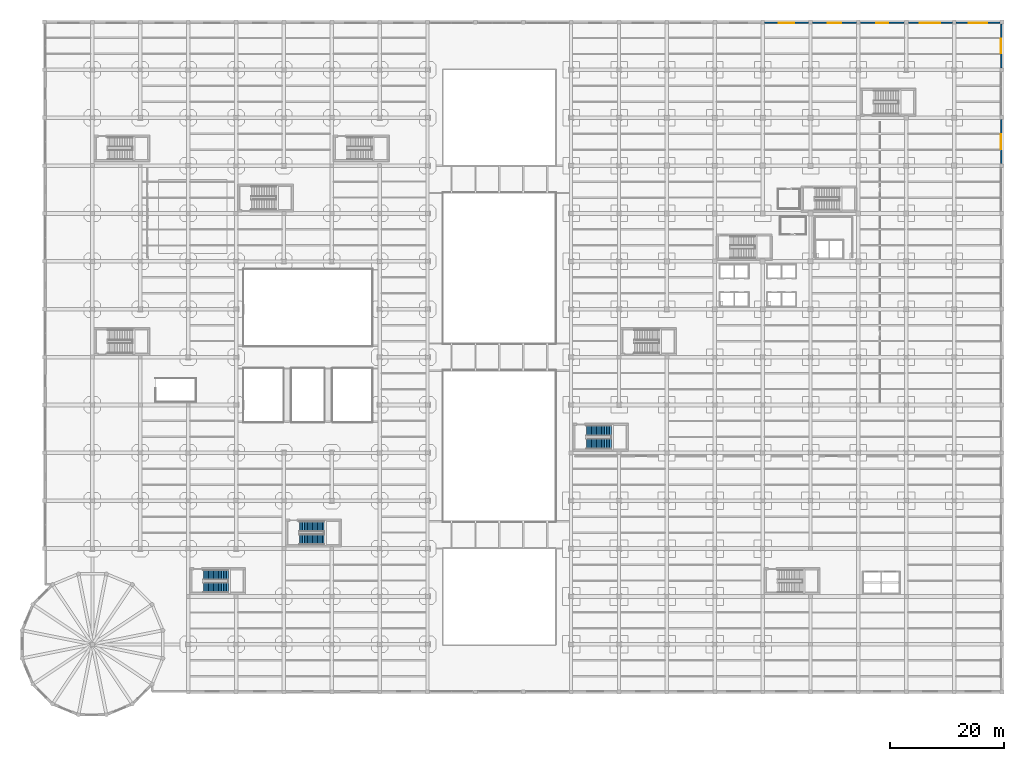
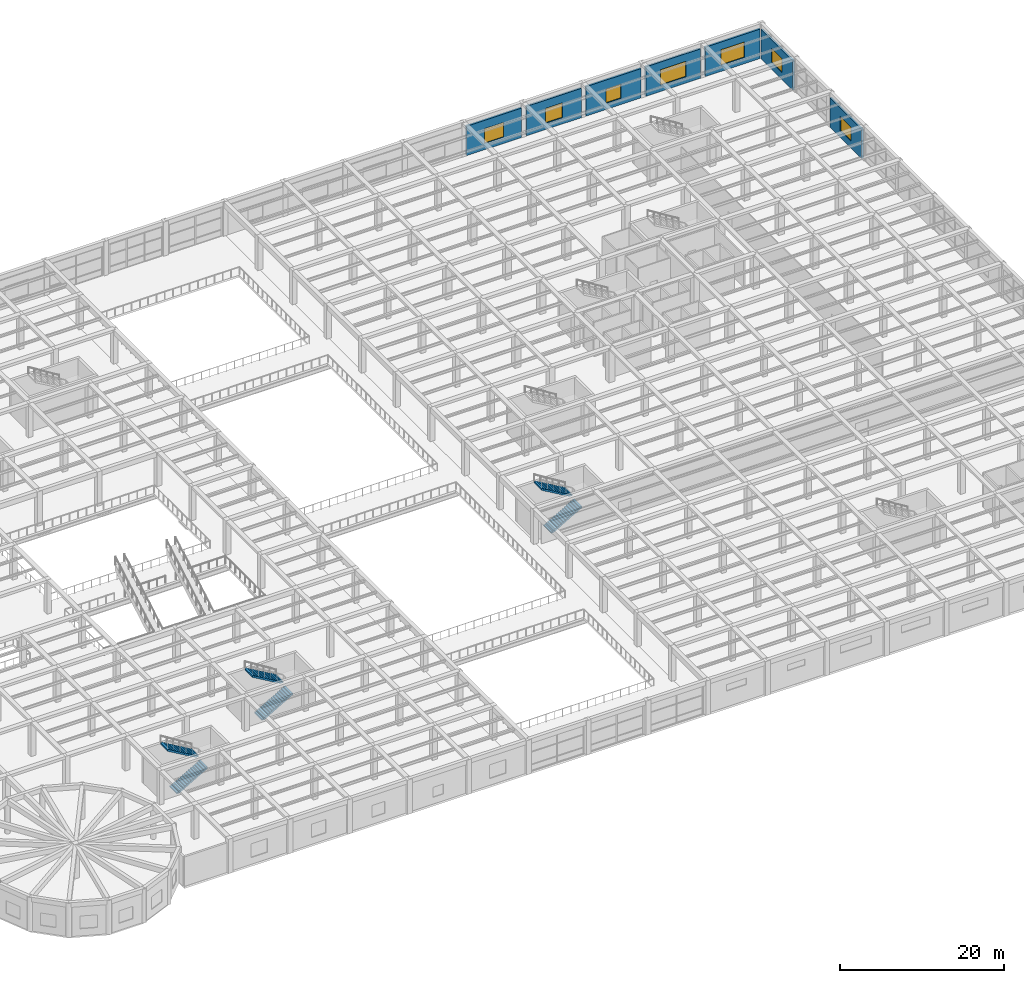
# One storey, part 53 of 65: 7 walls, 7 windows, 6 stair flights, 7 openings, 3 elements without a shape of their own.
"""IFC4 building model written with IfcOpenShell, lengths in metres."""

from ifc_helpers import new_model, si_unit, direction, frame, frame_2d, origin, place, context, subcontext, project, spatial, polyline, rectangle, outline, extrude, material, layer, layer_set, type_object, element, fill, aggregate, save


model = new_model("IFC4")

# Units and contexts
model_context = context("Model", 3, precision=1e-05, world=origin(), true_north=direction((0.0, 1.0)))
body_context = subcontext(model_context, "Body", "Model", "MODEL_VIEW")
ifc_project = project(units=[si_unit("LENGTHUNIT", "METRE"), si_unit("AREAUNIT", "SQUARE_METRE"), si_unit("VOLUMEUNIT", "CUBIC_METRE"), si_unit("PLANEANGLEUNIT", "RADIAN"), si_unit("MASSUNIT", "GRAM", prefix="KILO")], contexts=[model_context])

# Site, building, storey
site_placement = place(None, origin())
site = spatial("IfcSite", under=ifc_project, at=site_placement, CompositionType="ELEMENT")
building_placement = place(site_placement, origin())
building = spatial("IfcBuilding", under=site, at=building_placement, Name="Almacenes y Pasaje Nevantli", CompositionType="ELEMENT")
storey_placement = place(building_placement, frame((0.0, 0.0, 16.800048828125)))
storey = spatial("IfcBuildingStorey", under=building, at=storey_placement, Name="L04", CompositionType="ELEMENT", Elevation=16.800048828125)

# Wall, opening, window
ifc_material_1 = material(Name="Architectural Precast Concrete C35/45 Spandrel Wall", Category="concrete")
ifc_layer_1 = layer(ifc_material_1, 0.280029296875)
ifc_layer_set_1 = layer_set([ifc_layer_1], Name="Architectural Precast Concrete C35/45 Spandrel Wall")
wall_type = type_object("IfcWallType", Name="WL-EXT-CANTERA-280", PredefinedType="SOLIDWALL", material=ifc_layer_set_1)
wall_1_placement = place(storey_placement, frame((126.327880859375, 117.449951171875, 0.0), z_axis=(0.0, 0.0, 1.0), x_axis=(1.0, 0.0, 0.0)))
wall_1 = element("IfcWall", 1, at=wall_1_placement, inside=storey, type_object=wall_type, Name="L04 Boulevard Frieze Oculus Wall Bay 16", PredefinedType="SOLIDWALL", context=body_context, shape_type="SweptSolid", body=[
    extrude(rectangle(XDim=7.72021484375, YDim=0.280029296875, at=frame_2d((3.860107421875, 0.0))), origin(), (0.0, 0.0, 1.0), 4.3798828125),
])
opening_1_placement = place(wall_1_placement, frame((2.52197265625, 0.0, 0.949951171875)))
opening_1 = element("IfcOpeningElement", 2, at=opening_1_placement, cuts=wall_1, Name="Opening WT-04-140", PredefinedType="OPENING", context=body_context, shape_type="SweptSolid", body=[
    extrude(rectangle(XDim=2.699951171875, YDim=2.199951171875, at=frame_2d((1.35009765625, 1.10009765625))), frame((0.0, 0.14990234375, 0.0), z_axis=(0.0, -1.0, 0.0), x_axis=(1.0, 0.0, 0.0)), (0.0, 0.0, 1.0), 0.300048828125),
])
ifc_material_2 = material(Name="Thermally Broken Aluminium and Low-E Double Glazing", Category="aluminium")
window_type_1 = type_object("IfcWindowType", Name="WN-OCU-2700", PartitioningType="SINGLE_PANEL", PredefinedType="WINDOW", material=ifc_material_2)
window_1_placement = place(opening_1_placement, origin())
window_1 = element("IfcWindow", 3, at=window_1_placement, inside=storey, type_object=window_type_1, Name="L04 Exterior Window WT-04 #140", OverallHeight=2.199951171875, OverallWidth=2.699951171875, PartitioningType="SINGLE_PANEL", PredefinedType="WINDOW", context=body_context, shape_type="SweptSolid", body=[
    extrude(rectangle(XDim=2.699951171875, YDim=2.199951171875, at=frame_2d((1.35009765625, 1.10009765625))), frame((0.0, 0.030029296875, 0.0), z_axis=(0.0, -1.0, 0.0), x_axis=(1.0, 0.0, 0.0)), (0.0, 0.0, 1.0), 0.06005859375),
])
fill(opening_1, window_1)

wall_2_placement = place(storey_placement, frame((134.75390625, 117.449951171875, 0.0), z_axis=(0.0, 0.0, 1.0), x_axis=(1.0, 0.0, 0.0)))
wall_2 = element("IfcWall", 4, at=wall_2_placement, inside=storey, type_object=wall_type, Name="L04 Boulevard Frieze Oculus Wall Bay 17", PredefinedType="SOLIDWALL", context=body_context, shape_type="SweptSolid", body=[
    extrude(rectangle(XDim=7.718017578125, YDim=0.280029296875, at=frame_2d((3.85888671875, 0.0))), origin(), (0.0, 0.0, 1.0), 4.3798828125),
])
opening_2_placement = place(wall_2_placement, frame((2.64599609375, 0.0, 0.949951171875)))
opening_2 = element("IfcOpeningElement", 5, at=opening_2_placement, cuts=wall_2, Name="Opening WT-05-141", PredefinedType="OPENING", context=body_context, shape_type="SweptSolid", body=[
    extrude(rectangle(XDim=2.39990234375, YDim=2.199951171875, at=frame_2d((1.199951171875, 1.10009765625))), frame((0.0, 0.14990234375, 0.0), z_axis=(0.0, -1.0, 0.0), x_axis=(1.0, 0.0, 0.0)), (0.0, 0.0, 1.0), 0.300048828125),
])
ifc_material_3 = material(Name="Thermally Broken Aluminium and Low-E Double Glazing", Category="aluminium")
window_type_2 = type_object("IfcWindowType", Name="WN-OCU-2400", PartitioningType="SINGLE_PANEL", PredefinedType="WINDOW", material=ifc_material_3)
window_2_placement = place(opening_2_placement, origin())
window_2 = element("IfcWindow", 6, at=window_2_placement, inside=storey, type_object=window_type_2, Name="L04 Exterior Window WT-05 #141", OverallHeight=2.199951171875, OverallWidth=2.39990234375, PartitioningType="SINGLE_PANEL", PredefinedType="WINDOW", context=body_context, shape_type="SweptSolid", body=[
    extrude(rectangle(XDim=2.39990234375, YDim=2.199951171875, at=frame_2d((1.199951171875, 1.10009765625))), frame((0.0, 0.030029296875, 0.0), z_axis=(0.0, -1.0, 0.0), x_axis=(1.0, 0.0, 0.0)), (0.0, 0.0, 1.0), 0.06005859375),
])
fill(opening_2, window_2)

wall_3_placement = place(storey_placement, frame((143.1279296875, 117.449951171875, 0.0), z_axis=(0.0, 0.0, 1.0), x_axis=(1.0, 0.0, 0.0)))
wall_3 = element("IfcWall", 7, at=wall_3_placement, inside=storey, type_object=wall_type, Name="L04 Boulevard Frieze Oculus Wall Bay 18", PredefinedType="SOLIDWALL", context=body_context, shape_type="SweptSolid", body=[
    extrude(rectangle(XDim=7.718017578125, YDim=0.280029296875, at=frame_2d((3.85888671875, 0.0))), origin(), (0.0, 0.0, 1.0), 4.3798828125),
])
opening_3_placement = place(wall_3_placement, frame((2.822021484375, 0.0, 0.949951171875)))
opening_3 = element("IfcOpeningElement", 8, at=opening_3_placement, cuts=wall_3, Name="Opening WT-06-142", PredefinedType="OPENING", context=body_context, shape_type="SweptSolid", body=[
    extrude(rectangle(XDim=2.10009765625, YDim=2.10009765625, at=frame_2d((1.050048828125, 1.050048828125))), frame((0.0, 0.14990234375, 0.0), z_axis=(0.0, -1.0, 0.0), x_axis=(1.0, 0.0, 0.0)), (0.0, 0.0, 1.0), 0.300048828125),
])
ifc_material_4 = material(Name="Thermally Broken Aluminium and Low-E Double Glazing", Category="aluminium")
window_type_3 = type_object("IfcWindowType", Name="WN-OCU-2100", PartitioningType="SINGLE_PANEL", PredefinedType="WINDOW", material=ifc_material_4)
window_3_placement = place(opening_3_placement, origin())
window_3 = element("IfcWindow", 9, at=window_3_placement, inside=storey, type_object=window_type_3, Name="L04 Exterior Window WT-06 #142", OverallHeight=2.10009765625, OverallWidth=2.10009765625, PartitioningType="SINGLE_PANEL", PredefinedType="WINDOW", context=body_context, shape_type="SweptSolid", body=[
    extrude(rectangle(XDim=2.10009765625, YDim=2.10009765625, at=frame_2d((1.050048828125, 1.050048828125))), frame((0.0, 0.030029296875, 0.0), z_axis=(0.0, -1.0, 0.0), x_axis=(1.0, 0.0, 0.0)), (0.0, 0.0, 1.0), 0.06005859375),
])
fill(opening_3, window_3)

wall_4_placement = place(storey_placement, frame((151.552001953125, 117.449951171875, 0.0), z_axis=(0.0, 0.0, 1.0), x_axis=(1.0, 0.0, 0.0)))
wall_4 = element("IfcWall", 10, at=wall_4_placement, inside=storey, type_object=wall_type, Name="L04 Boulevard Frieze Oculus Wall Bay 19", PredefinedType="SOLIDWALL", context=body_context, shape_type="SweptSolid", body=[
    extrude(rectangle(XDim=7.719970703125, YDim=0.280029296875, at=frame_2d((3.85986328125, 0.0))), origin(), (0.0, 0.0, 1.0), 4.3798828125),
])
opening_4_placement = place(wall_4_placement, frame((2.048095703125, 0.0, 0.949951171875)))
opening_4 = element("IfcOpeningElement", 11, at=opening_4_placement, cuts=wall_4, Name="Opening WT-01-143", PredefinedType="OPENING", context=body_context, shape_type="SweptSolid", body=[
    extrude(rectangle(XDim=3.60009765625, YDim=2.300048828125, at=frame_2d((1.800048828125, 1.14990234375))), frame((0.0, 0.14990234375, 0.0), z_axis=(0.0, -1.0, 0.0), x_axis=(1.0, 0.0, 0.0)), (0.0, 0.0, 1.0), 0.300048828125),
])
ifc_material_5 = material(Name="Thermally Broken Aluminium and Low-E Double Glazing", Category="aluminium")
window_type_4 = type_object("IfcWindowType", Name="WN-OCU-3600", PartitioningType="SINGLE_PANEL", PredefinedType="WINDOW", material=ifc_material_5)
window_4_placement = place(opening_4_placement, origin())
window_4 = element("IfcWindow", 12, at=window_4_placement, inside=storey, type_object=window_type_4, Name="L04 Exterior Window WT-01 #143", OverallHeight=2.300048828125, OverallWidth=3.60009765625, PartitioningType="SINGLE_PANEL", PredefinedType="WINDOW", context=body_context, shape_type="SweptSolid", body=[
    extrude(rectangle(XDim=3.60009765625, YDim=2.300048828125, at=frame_2d((1.800048828125, 1.14990234375))), frame((0.0, 0.030029296875, 0.0), z_axis=(0.0, -1.0, 0.0), x_axis=(1.0, 0.0, 0.0)), (0.0, 0.0, 1.0), 0.06005859375),
])
fill(opening_4, window_4)

wall_5_placement = place(storey_placement, frame((159.927978515625, 117.449951171875, 0.0), z_axis=(0.0, 0.0, 1.0), x_axis=(1.0, 0.0, 0.0)))
wall_5 = element("IfcWall", 13, at=wall_5_placement, inside=storey, type_object=wall_type, Name="L04 Boulevard Frieze Oculus Wall Bay 20", PredefinedType="SOLIDWALL", context=body_context, shape_type="SweptSolid", body=[
    extrude(rectangle(XDim=7.718017578125, YDim=0.280029296875, at=frame_2d((3.85888671875, 0.0))), origin(), (0.0, 0.0, 1.0), 4.3798828125),
])
opening_5_placement = place(wall_5_placement, frame((2.221923828125, 0.0, 0.949951171875)))
opening_5 = element("IfcOpeningElement", 14, at=opening_5_placement, cuts=wall_5, Name="Opening WT-02-144", PredefinedType="OPENING", context=body_context, shape_type="SweptSolid", body=[
    extrude(rectangle(XDim=3.300048828125, YDim=2.300048828125, at=frame_2d((1.64990234375, 1.14990234375))), frame((0.0, 0.14990234375, 0.0), z_axis=(0.0, -1.0, 0.0), x_axis=(1.0, 0.0, 0.0)), (0.0, 0.0, 1.0), 0.300048828125),
])
ifc_material_6 = material(Name="Thermally Broken Aluminium and Low-E Double Glazing", Category="aluminium")
window_type_5 = type_object("IfcWindowType", Name="WN-OCU-3300", PartitioningType="SINGLE_PANEL", PredefinedType="WINDOW", material=ifc_material_6)
window_5_placement = place(opening_5_placement, origin())
window_5 = element("IfcWindow", 15, at=window_5_placement, inside=storey, type_object=window_type_5, Name="L04 Exterior Window WT-02 #144", OverallHeight=2.300048828125, OverallWidth=3.300048828125, PartitioningType="SINGLE_PANEL", PredefinedType="WINDOW", context=body_context, shape_type="SweptSolid", body=[
    extrude(rectangle(XDim=3.300048828125, YDim=2.300048828125, at=frame_2d((1.64990234375, 1.14990234375))), frame((0.0, 0.030029296875, 0.0), z_axis=(0.0, -1.0, 0.0), x_axis=(1.0, 0.0, 0.0)), (0.0, 0.0, 1.0), 0.06005859375),
])
fill(opening_5, window_5)

wall_6_placement = place(storey_placement, frame((167.85009765625, 92.72802734375, 0.0), z_axis=(0.0, 0.0, 1.0), x_axis=(0.0, 1.0, 0.0)))
wall_6 = element("IfcWall", 16, at=wall_6_placement, inside=storey, type_object=wall_type, Name="L04 East Facade Wall Bay 12", PredefinedType="SOLIDWALL", context=body_context, shape_type="SweptSolid", body=[
    extrude(rectangle(XDim=7.719970703125, YDim=0.280029296875, at=frame_2d((3.85986328125, 0.0))), origin(), (0.0, 0.0, 1.0), 4.3798828125),
])
opening_6_placement = place(wall_6_placement, frame((2.572021484375, 0.0, 1.0)))
opening_6 = element("IfcOpeningElement", 17, at=opening_6_placement, cuts=wall_6, Name="Opening WT-13-172", PredefinedType="OPENING", context=body_context, shape_type="SweptSolid", body=[
    extrude(rectangle(XDim=2.60009765625, YDim=2.10009765625, at=frame_2d((1.300048828125, 1.050048828125))), frame((0.0, 0.14990234375, 0.0), z_axis=(0.0, -1.0, 0.0), x_axis=(1.0, 0.0, 0.0)), (0.0, 0.0, 1.0), 0.300048828125),
])
ifc_material_7 = material(Name="Thermally Broken Aluminium and Low-E Double Glazing", Category="aluminium")
window_type_6 = type_object("IfcWindowType", Name="WN-POD-2600x2100", PartitioningType="SINGLE_PANEL", PredefinedType="WINDOW", material=ifc_material_7)
window_6_placement = place(opening_6_placement, origin())
window_6 = element("IfcWindow", 18, at=window_6_placement, inside=storey, type_object=window_type_6, Name="L04 Exterior Window WT-13 #172", OverallHeight=2.10009765625, OverallWidth=2.60009765625, PartitioningType="SINGLE_PANEL", PredefinedType="WINDOW", context=body_context, shape_type="SweptSolid", body=[
    extrude(rectangle(XDim=2.60009765625, YDim=2.10009765625, at=frame_2d((1.300048828125, 1.050048828125))), frame((0.0, 0.030029296875, 0.0), z_axis=(0.0, -1.0, 0.0), x_axis=(1.0, 0.0, 0.0)), (0.0, 0.0, 1.0), 0.06005859375),
])
fill(opening_6, window_6)

wall_7_placement = place(storey_placement, frame((167.85009765625, 109.528076171875, 0.0), z_axis=(0.0, 0.0, 1.0), x_axis=(0.0, 1.0, 0.0)))
wall_7 = element("IfcWall", 19, at=wall_7_placement, inside=storey, type_object=wall_type, Name="L04 East Facade Wall Bay 14", PredefinedType="SOLIDWALL", context=body_context, shape_type="SweptSolid", body=[
    extrude(rectangle(XDim=7.718017578125, YDim=0.280029296875, at=frame_2d((3.85888671875, 0.0))), origin(), (0.0, 0.0, 1.0), 4.3798828125),
])
opening_7_placement = place(wall_7_placement, frame((2.572021484375, 0.0, 1.0)))
opening_7 = element("IfcOpeningElement", 20, at=opening_7_placement, cuts=wall_7, Name="Opening WT-13-173", PredefinedType="OPENING", context=body_context, shape_type="SweptSolid", body=[
    extrude(rectangle(XDim=2.60009765625, YDim=2.10009765625, at=frame_2d((1.300048828125, 1.050048828125))), frame((0.0, 0.14990234375, 0.0), z_axis=(0.0, -1.0, 0.0), x_axis=(1.0, 0.0, 0.0)), (0.0, 0.0, 1.0), 0.300048828125),
])
window_7_placement = place(opening_7_placement, origin())
window_7 = element("IfcWindow", 21, at=window_7_placement, inside=storey, type_object=window_type_6, Name="L04 Exterior Window WT-13 #173", OverallHeight=2.10009765625, OverallWidth=2.60009765625, PartitioningType="SINGLE_PANEL", PredefinedType="WINDOW", context=body_context, shape_type="SweptSolid", body=[
    extrude(rectangle(XDim=2.60009765625, YDim=2.10009765625, at=frame_2d((1.300048828125, 1.050048828125))), frame((0.0, 0.030029296875, 0.0), z_axis=(0.0, -1.0, 0.0), x_axis=(1.0, 0.0, 0.0)), (0.0, 0.0, 1.0), 0.06005859375),
])
fill(opening_7, window_7)

# Stair, stair flights
ifc_material_8 = material(Name="Concrete C35/45", Category="concrete")
stair_type_1 = type_object("IfcStairType", Name="STR-CORE-1750", PredefinedType="HALF_TURN_STAIR", material=ifc_material_8)
stair_1_placement = place(storey_placement, origin())
stair_1 = element("IfcStair", 22, at=stair_1_placement, inside=storey, type_object=stair_type_1, Name="L04 Staircase ST-04", PredefinedType="HALF_TURN_STAIR")
ifc_material_9 = material(Name="Concrete C35/45", Category="concrete")
ifc_layer_2 = layer(ifc_material_9, 0.199951171875)
ifc_layer_set_2 = layer_set([ifc_layer_2], Name="Concrete C35/45")
stair_flight_type = type_object("IfcStairFlightType", Name="SFL-RC-200", PredefinedType="STRAIGHT", material=ifc_layer_set_2)
stair_flight_1_placement = place(storey_placement, frame((27.89990234375, 18.375, 0.0), z_axis=(0.0, 0.0, 1.0), x_axis=(1.0, 0.0, 0.0)))
stair_flight_1 = element("IfcStairFlight", 23, at=stair_flight_1_placement, type_object=stair_flight_type, Name="ST-04-L04 flight 1", NumberOfRisers=16, NumberOfTreads=15, PredefinedType="STRAIGHT", RiserHeight=0.16875, TreadLength=0.29, context=body_context, shape_type="SweptSolid", body=[
    extrude(outline(polyline([(0.0, 0.0), (0.0, 0.168701171875), (0.2900390625, 0.168701171875), (0.2900390625, 0.33740234375), (0.580078125, 0.33740234375), (0.580078125, 0.50634765625), (0.8701171875, 0.50634765625), (0.8701171875, 0.675048828125), (1.159912109375, 0.675048828125), (1.159912109375, 0.84375), (1.449951171875, 0.84375), (1.449951171875, 1.012451171875), (1.739990234375, 1.012451171875), (1.739990234375, 1.18115234375), (2.030029296875, 1.18115234375), (2.030029296875, 1.35009765625), (2.320068359375, 1.35009765625), (2.320068359375, 1.518798828125), (2.610107421875, 1.518798828125), (2.610107421875, 1.6875), (2.89990234375, 1.6875), (2.89990234375, 1.856201171875), (3.18994140625, 1.856201171875), (3.18994140625, 2.02490234375), (3.47998046875, 2.02490234375), (3.47998046875, 2.19384765625), (3.77001953125, 2.19384765625), (3.77001953125, 2.362548828125), (4.06005859375, 2.362548828125), (4.06005859375, 2.53125), (4.35009765625, 2.53125), (4.35009765625, 2.699951171875), (4.35009765625, 2.2998046875), (0.3974609375, 0.0), (0.0, 0.0)])), frame((0.0, 0.875, 0.0), z_axis=(0.0, -1.0, 0.0), x_axis=(1.0, 0.0, 0.0)), (0.0, 0.0, 1.0), 1.75),
])
stair_flight_2_placement = place(storey_placement, frame((32.25, 20.574951171875, 2.699951171875), z_axis=(0.0, 0.0, 1.0), x_axis=(-1.0, 0.0, 0.0)))
stair_flight_2 = element("IfcStairFlight", 24, at=stair_flight_2_placement, type_object=stair_flight_type, Name="ST-04-L04 flight 2", NumberOfRisers=16, NumberOfTreads=15, PredefinedType="STRAIGHT", RiserHeight=0.16875, TreadLength=0.29, context=body_context, shape_type="SweptSolid", body=[
    extrude(outline(polyline([(0.0, 0.0), (0.0, 0.168701171875), (0.2900390625, 0.168701171875), (0.2900390625, 0.33740234375), (0.580078125, 0.33740234375), (0.580078125, 0.50634765625), (0.8701171875, 0.50634765625), (0.8701171875, 0.675048828125), (1.159912109375, 0.675048828125), (1.159912109375, 0.84375), (1.449951171875, 0.84375), (1.449951171875, 1.012451171875), (1.739990234375, 1.012451171875), (1.739990234375, 1.18115234375), (2.030029296875, 1.18115234375), (2.030029296875, 1.35009765625), (2.320068359375, 1.35009765625), (2.320068359375, 1.518798828125), (2.610107421875, 1.518798828125), (2.610107421875, 1.6875), (2.89990234375, 1.6875), (2.89990234375, 1.856201171875), (3.18994140625, 1.856201171875), (3.18994140625, 2.02490234375), (3.47998046875, 2.02490234375), (3.47998046875, 2.19384765625), (3.77001953125, 2.19384765625), (3.77001953125, 2.362548828125), (4.06005859375, 2.362548828125), (4.06005859375, 2.53125), (4.35009765625, 2.53125), (4.35009765625, 2.699951171875), (4.35009765625, 2.2998046875), (0.3974609375, 0.0), (0.0, 0.0)])), frame((0.0, 0.875, 0.0), z_axis=(0.0, -1.0, 0.0), x_axis=(1.0, 0.0, 0.0)), (0.0, 0.0, 1.0), 1.75),
])
aggregate(stair_1, [stair_flight_1, stair_flight_2])

ifc_material_10 = material(Name="Concrete C35/45", Category="concrete")
stair_type_2 = type_object("IfcStairType", Name="STR-CORE-1850", PredefinedType="HALF_TURN_STAIR", material=ifc_material_10)
stair_2_placement = place(storey_placement, origin())
stair_2 = element("IfcStair", 25, at=stair_2_placement, inside=storey, type_object=stair_type_2, Name="L04 Staircase ST-08", PredefinedType="HALF_TURN_STAIR")
stair_flight_3_placement = place(storey_placement, frame((95.10009765625, 43.574951171875, 0.0), z_axis=(0.0, 0.0, 1.0), x_axis=(1.0, 0.0, 0.0)))
stair_flight_3 = element("IfcStairFlight", 26, at=stair_flight_3_placement, type_object=stair_flight_type, Name="ST-08-L04 flight 1", NumberOfRisers=16, NumberOfTreads=15, PredefinedType="STRAIGHT", RiserHeight=0.16875, TreadLength=0.29, context=body_context, shape_type="SweptSolid", body=[
    extrude(outline(polyline([(0.0, 0.0), (0.0, 0.168701171875), (0.2900390625, 0.168701171875), (0.2900390625, 0.33740234375), (0.580078125, 0.33740234375), (0.580078125, 0.50634765625), (0.8701171875, 0.50634765625), (0.8701171875, 0.675048828125), (1.159912109375, 0.675048828125), (1.159912109375, 0.84375), (1.449951171875, 0.84375), (1.449951171875, 1.012451171875), (1.739990234375, 1.012451171875), (1.739990234375, 1.18115234375), (2.030029296875, 1.18115234375), (2.030029296875, 1.35009765625), (2.320068359375, 1.35009765625), (2.320068359375, 1.518798828125), (2.610107421875, 1.518798828125), (2.610107421875, 1.6875), (2.89990234375, 1.6875), (2.89990234375, 1.856201171875), (3.18994140625, 1.856201171875), (3.18994140625, 2.02490234375), (3.47998046875, 2.02490234375), (3.47998046875, 2.19384765625), (3.77001953125, 2.19384765625), (3.77001953125, 2.362548828125), (4.06005859375, 2.362548828125), (4.06005859375, 2.53125), (4.35009765625, 2.53125), (4.35009765625, 2.699951171875), (4.35009765625, 2.2998046875), (0.3974609375, 0.0), (0.0, 0.0)])), frame((0.0, 0.925048828125, 0.0), z_axis=(0.0, -1.0, 0.0), x_axis=(1.0, 0.0, 0.0)), (0.0, 0.0, 1.0), 1.85009765625),
])
stair_flight_4_placement = place(storey_placement, frame((99.449951171875, 45.875, 2.699951171875), z_axis=(0.0, 0.0, 1.0), x_axis=(-1.0, 0.0, 0.0)))
stair_flight_4 = element("IfcStairFlight", 27, at=stair_flight_4_placement, type_object=stair_flight_type, Name="ST-08-L04 flight 2", NumberOfRisers=16, NumberOfTreads=15, PredefinedType="STRAIGHT", RiserHeight=0.16875, TreadLength=0.29, context=body_context, shape_type="SweptSolid", body=[
    extrude(outline(polyline([(0.0, 0.0), (0.0, 0.168701171875), (0.2900390625, 0.168701171875), (0.2900390625, 0.33740234375), (0.580078125, 0.33740234375), (0.580078125, 0.50634765625), (0.8701171875, 0.50634765625), (0.8701171875, 0.675048828125), (1.159912109375, 0.675048828125), (1.159912109375, 0.84375), (1.449951171875, 0.84375), (1.449951171875, 1.012451171875), (1.739990234375, 1.012451171875), (1.739990234375, 1.18115234375), (2.030029296875, 1.18115234375), (2.030029296875, 1.35009765625), (2.320068359375, 1.35009765625), (2.320068359375, 1.518798828125), (2.610107421875, 1.518798828125), (2.610107421875, 1.6875), (2.89990234375, 1.6875), (2.89990234375, 1.856201171875), (3.18994140625, 1.856201171875), (3.18994140625, 2.02490234375), (3.47998046875, 2.02490234375), (3.47998046875, 2.19384765625), (3.77001953125, 2.19384765625), (3.77001953125, 2.362548828125), (4.06005859375, 2.362548828125), (4.06005859375, 2.53125), (4.35009765625, 2.53125), (4.35009765625, 2.699951171875), (4.35009765625, 2.2998046875), (0.3974609375, 0.0), (0.0, 0.0)])), frame((0.0, 0.925048828125, 0.0), z_axis=(0.0, -1.0, 0.0), x_axis=(1.0, 0.0, 0.0)), (0.0, 0.0, 1.0), 1.85009765625),
])
aggregate(stair_2, [stair_flight_3, stair_flight_4])

stair_3_placement = place(storey_placement, origin())
stair_3 = element("IfcStair", 28, at=stair_3_placement, inside=storey, type_object=stair_type_2, Name="L04 Staircase ST-14", PredefinedType="HALF_TURN_STAIR")
stair_flight_5_placement = place(storey_placement, frame((44.699951171875, 26.77490234375, 0.0), z_axis=(0.0, 0.0, 1.0), x_axis=(1.0, 0.0, 0.0)))
stair_flight_5 = element("IfcStairFlight", 29, at=stair_flight_5_placement, type_object=stair_flight_type, Name="ST-14-L04 flight 1", NumberOfRisers=16, NumberOfTreads=15, PredefinedType="STRAIGHT", RiserHeight=0.16875, TreadLength=0.29, context=body_context, shape_type="SweptSolid", body=[
    extrude(outline(polyline([(0.0, 0.0), (0.0, 0.168701171875), (0.2900390625, 0.168701171875), (0.2900390625, 0.33740234375), (0.580078125, 0.33740234375), (0.580078125, 0.50634765625), (0.8701171875, 0.50634765625), (0.8701171875, 0.675048828125), (1.159912109375, 0.675048828125), (1.159912109375, 0.84375), (1.449951171875, 0.84375), (1.449951171875, 1.012451171875), (1.739990234375, 1.012451171875), (1.739990234375, 1.18115234375), (2.030029296875, 1.18115234375), (2.030029296875, 1.35009765625), (2.320068359375, 1.35009765625), (2.320068359375, 1.518798828125), (2.610107421875, 1.518798828125), (2.610107421875, 1.6875), (2.89990234375, 1.6875), (2.89990234375, 1.856201171875), (3.18994140625, 1.856201171875), (3.18994140625, 2.02490234375), (3.47998046875, 2.02490234375), (3.47998046875, 2.19384765625), (3.77001953125, 2.19384765625), (3.77001953125, 2.362548828125), (4.06005859375, 2.362548828125), (4.06005859375, 2.53125), (4.35009765625, 2.53125), (4.35009765625, 2.699951171875), (4.35009765625, 2.2998046875), (0.3974609375, 0.0), (0.0, 0.0)])), frame((0.0, 0.925048828125, 0.0), z_axis=(0.0, -1.0, 0.0), x_axis=(1.0, 0.0, 0.0)), (0.0, 0.0, 1.0), 1.85009765625),
])
stair_flight_6_placement = place(storey_placement, frame((49.050048828125, 29.074951171875, 2.699951171875), z_axis=(0.0, 0.0, 1.0), x_axis=(-1.0, 0.0, 0.0)))
stair_flight_6 = element("IfcStairFlight", 30, at=stair_flight_6_placement, type_object=stair_flight_type, Name="ST-14-L04 flight 2", NumberOfRisers=16, NumberOfTreads=15, PredefinedType="STRAIGHT", RiserHeight=0.16875, TreadLength=0.29, context=body_context, shape_type="SweptSolid", body=[
    extrude(outline(polyline([(0.0, 0.0), (0.0, 0.168701171875), (0.2900390625, 0.168701171875), (0.2900390625, 0.33740234375), (0.580078125, 0.33740234375), (0.580078125, 0.50634765625), (0.8701171875, 0.50634765625), (0.8701171875, 0.675048828125), (1.159912109375, 0.675048828125), (1.159912109375, 0.84375), (1.449951171875, 0.84375), (1.449951171875, 1.012451171875), (1.739990234375, 1.012451171875), (1.739990234375, 1.18115234375), (2.030029296875, 1.18115234375), (2.030029296875, 1.35009765625), (2.320068359375, 1.35009765625), (2.320068359375, 1.518798828125), (2.610107421875, 1.518798828125), (2.610107421875, 1.6875), (2.89990234375, 1.6875), (2.89990234375, 1.856201171875), (3.18994140625, 1.856201171875), (3.18994140625, 2.02490234375), (3.47998046875, 2.02490234375), (3.47998046875, 2.19384765625), (3.77001953125, 2.19384765625), (3.77001953125, 2.362548828125), (4.06005859375, 2.362548828125), (4.06005859375, 2.53125), (4.35009765625, 2.53125), (4.35009765625, 2.699951171875), (4.35009765625, 2.2998046875), (0.3974609375, 0.0), (0.0, 0.0)])), frame((0.0, 0.925048828125, 0.0), z_axis=(0.0, -1.0, 0.0), x_axis=(1.0, 0.0, 0.0)), (0.0, 0.0, 1.0), 1.85009765625),
])
aggregate(stair_3, [stair_flight_5, stair_flight_6])

save(model, "model.ifc")
